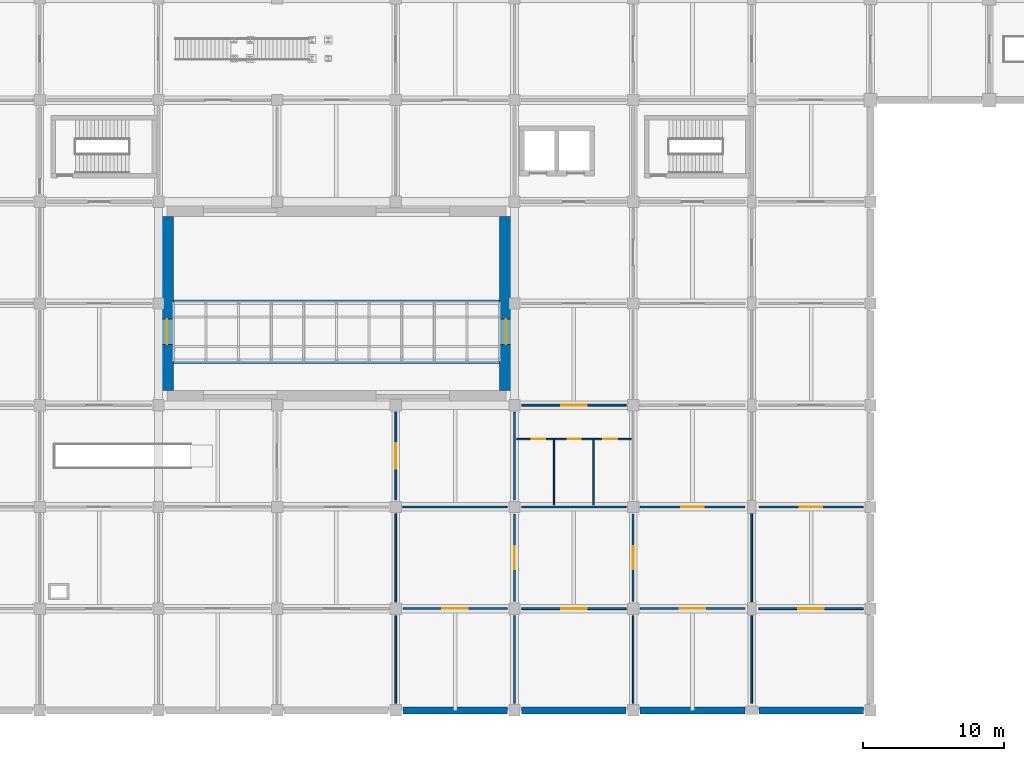
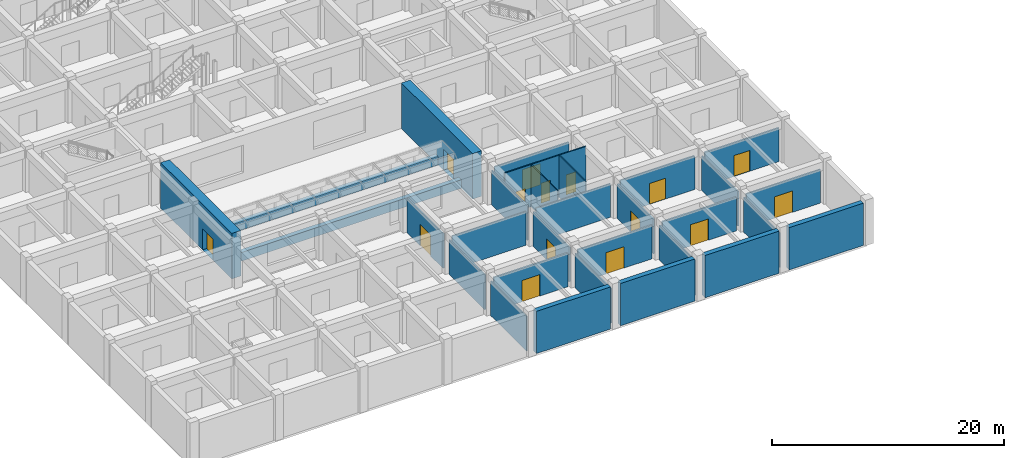
# One storey, part 17 of 32: 30 walls, 15 doors, 15 openings.
"""IFC4 building model written with IfcOpenShell, lengths in metres."""

from ifc_helpers import new_model, si_unit, derived_unit, direction, frame, frame_2d, origin, place, context, subcontext, project, spatial, rectangle, extrude, material, layer, layer_set, type_object, element, fill, save


model = new_model("IFC4")

# Units and contexts
model_context = context("Model", 3, precision=1e-05, world=origin(), true_north=direction((0.0, 1.0)))
body_context = subcontext(model_context, "Body", "Model", "MODEL_VIEW")
ifc_project = project(units=[si_unit("LENGTHUNIT", "METRE"), si_unit("AREAUNIT", "SQUARE_METRE"), si_unit("VOLUMEUNIT", "CUBIC_METRE"), si_unit("PLANEANGLEUNIT", "RADIAN"), si_unit("MASSUNIT", "GRAM", prefix="KILO"), derived_unit("THERMALTRANSMITTANCEUNIT", [(si_unit("MASSUNIT", "GRAM", prefix="KILO"), 1), (si_unit("TIMEUNIT", "SECOND"), -3), (si_unit("THERMODYNAMICTEMPERATUREUNIT", "KELVIN"), -1)])], contexts=[model_context])

# Site, building, storey
site_placement = place(None, origin())
site = spatial("IfcSite", under=ifc_project, at=site_placement, CompositionType="ELEMENT")
building_placement = place(site_placement, origin())
building = spatial("IfcBuilding", under=site, at=building_placement, Name="Veldstrom Oceanarium and Marine Research Institute", CompositionType="ELEMENT")
storey_placement = place(building_placement, frame((0.0, 0.0, -4.800048828125)))
storey = spatial("IfcBuildingStorey", under=building, at=storey_placement, Name="B01", CompositionType="ELEMENT", Elevation=-4.800048828125)

# Wall, opening, door
ifc_material_1 = material(Name="Drywall Corridor Partition", Category="gypsum")
ifc_layer_1 = layer(ifc_material_1, 0.155029296875)
ifc_layer_set_1 = layer_set([ifc_layer_1], Name="ARC-WAL-PT4")
wall_type_1 = type_object("IfcWallType", Name="ARC-WAL-PT4", PredefinedType="PARTITIONING", material=ifc_layer_set_1)
wall_1_placement = place(storey_placement, frame((34.10009765625, 7.199951171875, 0.0), z_axis=(0.0, 0.0, 1.0), x_axis=(1.0, 0.0, 0.0)))
wall_1 = element("IfcWall", 1, at=wall_1_placement, inside=storey, type_object=wall_type_1, Name="Interior Partition PT4 B01-0360", PredefinedType="PARTITIONING", context=body_context, shape_type="SweptSolid", body=[
    extrude(rectangle(XDim=7.39990234375, YDim=0.155029296875, at=frame_2d((3.699951171875, 0.0))), origin(), (0.0, 0.0, 1.0), 3.545166015625),
])
opening_1_placement = place(wall_1_placement, frame((2.800048828125, 0.0, 0.0)))
opening_1 = element("IfcOpeningElement", 2, at=opening_1_placement, cuts=wall_1, Name="Opening D-B01-210", PredefinedType="OPENING", context=body_context, shape_type="SweptSolid", body=[
    extrude(rectangle(XDim=1.800048828125, YDim=2.25, at=frame_2d((0.89990234375, 1.125))), frame((0.0, 0.08740234375, 0.0), z_axis=(0.0, -1.0, 0.0), x_axis=(1.0, 0.0, 0.0)), (0.0, 0.0, 1.0), 0.175048828125),
])
ifc_material_2 = material(Name="Acoustic Timber Gallery Door", Category="wood")
door_type_1 = type_object("IfcDoorType", Name="ARC-DOR-ID01", OperationType="DOUBLE_DOOR_SINGLE_SWING", PredefinedType="DOOR", material=ifc_material_2)
door_1_placement = place(opening_1_placement, frame((1.800048828125, 0.0, 0.0), z_axis=(0.0, 0.0, 1.0), x_axis=(-1.0, 0.0, 0.0)))
door_1 = element("IfcDoor", 3, at=door_1_placement, inside=storey, type_object=door_type_1, Name="Interior Door D-B01-210", OperationType="DOUBLE_DOOR_SINGLE_SWING", OverallHeight=2.25, OverallWidth=1.800048828125, PredefinedType="DOOR", context=body_context, shape_type="SweptSolid", body=[
    extrude(rectangle(XDim=1.800048828125, YDim=2.25, at=frame_2d((0.89990234375, 1.125))), frame((0.0, 0.02490234375, 0.0), z_axis=(0.0, -1.0, 0.0), x_axis=(1.0, 0.0, 0.0)), (0.0, 0.0, 1.0), 0.050048828125),
])
fill(opening_1, door_1)

wall_2_placement = place(storey_placement, frame((50.39990234375, 7.699951171875, 0.0), z_axis=(0.0, 0.0, 1.0), x_axis=(0.0, 1.0, 0.0)))
wall_2 = element("IfcWall", 4, at=wall_2_placement, inside=storey, type_object=wall_type_1, Name="Interior Partition PT4 B01-0375", PredefinedType="PARTITIONING", context=body_context, shape_type="SweptSolid", body=[
    extrude(rectangle(XDim=6.199951171875, YDim=0.155029296875, at=frame_2d((3.10009765625, 0.0))), origin(), (0.0, 0.0, 1.0), 3.64501953125),
])
opening_2_placement = place(wall_2_placement, frame((2.300048828125, 0.0, 0.0)))
opening_2 = element("IfcOpeningElement", 5, at=opening_2_placement, cuts=wall_2, Name="Opening D-B01-217", PredefinedType="OPENING", context=body_context, shape_type="SweptSolid", body=[
    extrude(rectangle(XDim=1.60009765625, YDim=2.199951171875, at=frame_2d((0.800048828125, 1.10009765625))), frame((0.0, 0.08740234375, 0.0), z_axis=(0.0, -1.0, 0.0), x_axis=(1.0, 0.0, 0.0)), (0.0, 0.0, 1.0), 0.175048828125),
])
ifc_material_3 = material(Name="Acoustic Timber Corridor Door", Category="wood")
door_type_2 = type_object("IfcDoorType", Name="ARC-DOR-ID02", OperationType="DOUBLE_DOOR_SINGLE_SWING", PredefinedType="DOOR", material=ifc_material_3)
door_2_placement = place(opening_2_placement, origin())
door_2 = element("IfcDoor", 6, at=door_2_placement, inside=storey, type_object=door_type_2, Name="Interior Door D-B01-217", OperationType="DOUBLE_DOOR_SINGLE_SWING", OverallHeight=2.199951171875, OverallWidth=1.60009765625, PredefinedType="DOOR", context=body_context, shape_type="SweptSolid", body=[
    extrude(rectangle(XDim=1.60009765625, YDim=2.199951171875, at=frame_2d((0.800048828125, 1.10009765625))), frame((0.0, 0.02490234375, 0.0), z_axis=(0.0, -1.0, 0.0), x_axis=(1.0, 0.0, 0.0)), (0.0, 0.0, 1.0), 0.050048828125),
])
fill(opening_2, door_2)

wall_3_placement = place(storey_placement, frame((50.89990234375, 7.199951171875, 0.0), z_axis=(0.0, 0.0, 1.0), x_axis=(1.0, 0.0, 0.0)))
wall_3 = element("IfcWall", 7, at=wall_3_placement, inside=storey, type_object=wall_type_1, Name="Interior Partition PT4 B01-0393", PredefinedType="PARTITIONING", context=body_context, shape_type="SweptSolid", body=[
    extrude(rectangle(XDim=7.400146484375, YDim=0.155029296875, at=frame_2d((3.7001953125, 0.0))), origin(), (0.0, 0.0, 1.0), 3.545166015625),
])
opening_3_placement = place(wall_3_placement, frame((2.800048828125, 0.0, 0.0)))
opening_3 = element("IfcOpeningElement", 8, at=opening_3_placement, cuts=wall_3, Name="Opening D-B01-226", PredefinedType="OPENING", context=body_context, shape_type="SweptSolid", body=[
    extrude(rectangle(XDim=1.800048828125, YDim=2.25, at=frame_2d((0.89990234375, 1.125))), frame((0.0, 0.08740234375, 0.0), z_axis=(0.0, -1.0, 0.0), x_axis=(1.0, 0.0, 0.0)), (0.0, 0.0, 1.0), 0.175048828125),
])
door_3_placement = place(opening_3_placement, frame((1.800048828125, 0.0, 0.0), z_axis=(0.0, 0.0, 1.0), x_axis=(-1.0, 0.0, 0.0)))
door_3 = element("IfcDoor", 9, at=door_3_placement, inside=storey, type_object=door_type_1, Name="Interior Door D-B01-226", OperationType="DOUBLE_DOOR_SINGLE_SWING", OverallHeight=2.25, OverallWidth=1.800048828125, PredefinedType="DOOR", context=body_context, shape_type="SweptSolid", body=[
    extrude(rectangle(XDim=1.800048828125, YDim=2.25, at=frame_2d((0.89990234375, 1.125))), frame((0.0, 0.02490234375, 0.0), z_axis=(0.0, -1.0, 0.0), x_axis=(1.0, 0.0, 0.0)), (0.0, 0.0, 1.0), 0.050048828125),
])
fill(opening_3, door_3)

wall_4_placement = place(storey_placement, frame((59.300048828125, 14.39990234375, 0.0), z_axis=(0.0, 0.0, 1.0), x_axis=(1.0, 0.0, 0.0)))
wall_4 = element("IfcWall", 10, at=wall_4_placement, inside=storey, type_object=wall_type_1, Name="Interior Partition PT4 B01-0412", PredefinedType="PARTITIONING", context=body_context, shape_type="SweptSolid", body=[
    extrude(rectangle(XDim=7.39990234375, YDim=0.155029296875, at=frame_2d((3.699951171875, 0.0))), origin(), (0.0, 0.0, 1.0), 3.545166015625),
])
opening_4_placement = place(wall_4_placement, frame((2.89990234375, 0.0, 0.0)))
opening_4 = element("IfcOpeningElement", 11, at=opening_4_placement, cuts=wall_4, Name="Opening D-B01-237", PredefinedType="OPENING", context=body_context, shape_type="SweptSolid", body=[
    extrude(rectangle(XDim=1.60009765625, YDim=2.199951171875, at=frame_2d((0.800048828125, 1.10009765625))), frame((0.0, 0.08740234375, 0.0), z_axis=(0.0, -1.0, 0.0), x_axis=(1.0, 0.0, 0.0)), (0.0, 0.0, 1.0), 0.175048828125),
])
door_4_placement = place(opening_4_placement, frame((1.60009765625, 0.0, 0.0), z_axis=(0.0, 0.0, 1.0), x_axis=(-1.0, 0.0, 0.0)))
door_4 = element("IfcDoor", 12, at=door_4_placement, inside=storey, type_object=door_type_2, Name="Interior Door D-B01-237", OperationType="DOUBLE_DOOR_SINGLE_SWING", OverallHeight=2.199951171875, OverallWidth=1.60009765625, PredefinedType="DOOR", context=body_context, shape_type="SweptSolid", body=[
    extrude(rectangle(XDim=1.60009765625, YDim=2.199951171875, at=frame_2d((0.800048828125, 1.10009765625))), frame((0.0, 0.02490234375, 0.0), z_axis=(0.0, -1.0, 0.0), x_axis=(1.0, 0.0, 0.0)), (0.0, 0.0, 1.0), 0.050048828125),
])
fill(opening_4, door_4)

ifc_material_4 = material(Name="Moisture-Resistant Wet-Area Partition", Category="masonry")
ifc_layer_2 = layer(ifc_material_4, 0.139892578125)
ifc_layer_set_2 = layer_set([ifc_layer_2], Name="ARC-WAL-PT5")
wall_type_2 = type_object("IfcWallType", Name="ARC-WAL-PT5", PredefinedType="PARTITIONING", material=ifc_layer_set_2)
wall_5_placement = place(storey_placement, frame((33.60009765625, 14.89990234375, 0.0), z_axis=(0.0, 0.0, 1.0), x_axis=(0.0, 1.0, 0.0)))
wall_5 = element("IfcWall", 13, at=wall_5_placement, inside=storey, type_object=wall_type_2, Name="Interior Partition PT5 B01-0349", PredefinedType="PARTITIONING", context=body_context, shape_type="SweptSolid", body=[
    extrude(rectangle(XDim=6.2001953125, YDim=0.139892578125, at=frame_2d((3.10009765625, 0.0))), origin(), (0.0, 0.0, 1.0), 3.64501953125),
])
opening_5_placement = place(wall_5_placement, frame((2.199951171875, 0.0, 0.0)))
opening_5 = element("IfcOpeningElement", 14, at=opening_5_placement, cuts=wall_5, Name="Opening D-B01-204", PredefinedType="OPENING", context=body_context, shape_type="SweptSolid", body=[
    extrude(rectangle(XDim=1.800048828125, YDim=2.25, at=frame_2d((0.89990234375, 1.125))), frame((0.0, 0.079833984375, 0.0), z_axis=(0.0, -1.0, 0.0), x_axis=(1.0, 0.0, 0.0)), (0.0, 0.0, 1.0), 0.159912109375),
])
door_5_placement = place(opening_5_placement, frame((1.800048828125, 0.0, 0.0), z_axis=(0.0, 0.0, 1.0), x_axis=(-1.0, 0.0, 0.0)))
door_5 = element("IfcDoor", 15, at=door_5_placement, inside=storey, type_object=door_type_1, Name="Interior Door D-B01-204", OperationType="DOUBLE_DOOR_SINGLE_SWING", OverallHeight=2.25, OverallWidth=1.800048828125, PredefinedType="DOOR", context=body_context, shape_type="SweptSolid", body=[
    extrude(rectangle(XDim=1.800048828125, YDim=2.25, at=frame_2d((0.89990234375, 1.125))), frame((0.0, 0.02490234375, 0.0), z_axis=(0.0, -1.0, 0.0), x_axis=(1.0, 0.0, 0.0)), (0.0, 0.0, 1.0), 0.050048828125),
])
fill(opening_5, door_5)

wall_6_placement = place(storey_placement, frame((42.0, 7.699951171875, 0.0), z_axis=(0.0, 0.0, 1.0), x_axis=(0.0, 1.0, 0.0)))
wall_6 = element("IfcWall", 16, at=wall_6_placement, inside=storey, type_object=wall_type_2, Name="Interior Partition PT5 B01-0361", PredefinedType="PARTITIONING", context=body_context, shape_type="SweptSolid", body=[
    extrude(rectangle(XDim=6.199951171875, YDim=0.139892578125, at=frame_2d((3.10009765625, 0.0))), origin(), (0.0, 0.0, 1.0), 3.64501953125),
])
opening_6_placement = place(wall_6_placement, frame((2.300048828125, 0.0, 0.0)))
opening_6 = element("IfcOpeningElement", 17, at=opening_6_placement, cuts=wall_6, Name="Opening D-B01-211", PredefinedType="OPENING", context=body_context, shape_type="SweptSolid", body=[
    extrude(rectangle(XDim=1.60009765625, YDim=2.199951171875, at=frame_2d((0.800048828125, 1.10009765625))), frame((0.0, 0.079833984375, 0.0), z_axis=(0.0, -1.0, 0.0), x_axis=(1.0, 0.0, 0.0)), (0.0, 0.0, 1.0), 0.159912109375),
])
door_6_placement = place(opening_6_placement, frame((1.60009765625, 0.0, 0.0), z_axis=(0.0, 0.0, 1.0), x_axis=(-1.0, 0.0, 0.0)))
door_6 = element("IfcDoor", 18, at=door_6_placement, inside=storey, type_object=door_type_2, Name="Interior Door D-B01-211", OperationType="DOUBLE_DOOR_SINGLE_SWING", OverallHeight=2.199951171875, OverallWidth=1.60009765625, PredefinedType="DOOR", context=body_context, shape_type="SweptSolid", body=[
    extrude(rectangle(XDim=1.60009765625, YDim=2.199951171875, at=frame_2d((0.800048828125, 1.10009765625))), frame((0.0, 0.02490234375, 0.0), z_axis=(0.0, -1.0, 0.0), x_axis=(1.0, 0.0, 0.0)), (0.0, 0.0, 1.0), 0.050048828125),
])
fill(opening_6, door_6)

wall_7_placement = place(storey_placement, frame((42.5, 7.199951171875, 0.0), z_axis=(0.0, 0.0, 1.0), x_axis=(1.0, 0.0, 0.0)))
wall_7 = element("IfcWall", 19, at=wall_7_placement, inside=storey, type_object=wall_type_2, Name="Interior Partition PT5 B01-0374", PredefinedType="PARTITIONING", context=body_context, shape_type="SweptSolid", body=[
    extrude(rectangle(XDim=7.39990234375, YDim=0.139892578125, at=frame_2d((3.699951171875, 0.0))), origin(), (0.0, 0.0, 1.0), 3.545166015625),
])
opening_7_placement = place(wall_7_placement, frame((2.800048828125, 0.0, 0.0)))
opening_7 = element("IfcOpeningElement", 20, at=opening_7_placement, cuts=wall_7, Name="Opening D-B01-216", PredefinedType="OPENING", context=body_context, shape_type="SweptSolid", body=[
    extrude(rectangle(XDim=1.800048828125, YDim=2.25, at=frame_2d((0.89990234375, 1.125))), frame((0.0, 0.079833984375, 0.0), z_axis=(0.0, -1.0, 0.0), x_axis=(1.0, 0.0, 0.0)), (0.0, 0.0, 1.0), 0.159912109375),
])
door_7_placement = place(opening_7_placement, origin())
door_7 = element("IfcDoor", 21, at=door_7_placement, inside=storey, type_object=door_type_1, Name="Interior Door D-B01-216", OperationType="DOUBLE_DOOR_SINGLE_SWING", OverallHeight=2.25, OverallWidth=1.800048828125, PredefinedType="DOOR", context=body_context, shape_type="SweptSolid", body=[
    extrude(rectangle(XDim=1.800048828125, YDim=2.25, at=frame_2d((0.89990234375, 1.125))), frame((0.0, 0.02490234375, 0.0), z_axis=(0.0, -1.0, 0.0), x_axis=(1.0, 0.0, 0.0)), (0.0, 0.0, 1.0), 0.050048828125),
])
fill(opening_7, door_7)

wall_8_placement = place(storey_placement, frame((42.5, 21.60009765625, 0.0), z_axis=(0.0, 0.0, 1.0), x_axis=(1.0, 0.0, 0.0)))
wall_8 = element("IfcWall", 22, at=wall_8_placement, inside=storey, type_object=wall_type_2, Name="Interior Partition PT5 B01-0378", PredefinedType="PARTITIONING", context=body_context, shape_type="SweptSolid", body=[
    extrude(rectangle(XDim=7.39990234375, YDim=0.139892578125, at=frame_2d((3.699951171875, 0.0))), origin(), (0.0, 0.0, 1.0), 3.545166015625),
])
opening_8_placement = place(wall_8_placement, frame((2.800048828125, 0.0, 0.0)))
opening_8 = element("IfcOpeningElement", 23, at=opening_8_placement, cuts=wall_8, Name="Opening D-B01-218", PredefinedType="OPENING", context=body_context, shape_type="SweptSolid", body=[
    extrude(rectangle(XDim=1.800048828125, YDim=2.25, at=frame_2d((0.89990234375, 1.125))), frame((0.0, 0.079833984375, 0.0), z_axis=(0.0, -1.0, 0.0), x_axis=(1.0, 0.0, 0.0)), (0.0, 0.0, 1.0), 0.159912109375),
])
door_8_placement = place(opening_8_placement, frame((1.800048828125, 0.0, 0.0), z_axis=(0.0, 0.0, 1.0), x_axis=(-1.0, 0.0, 0.0)))
door_8 = element("IfcDoor", 24, at=door_8_placement, inside=storey, type_object=door_type_1, Name="Interior Door D-B01-218", OperationType="DOUBLE_DOOR_SINGLE_SWING", OverallHeight=2.25, OverallWidth=1.800048828125, PredefinedType="DOOR", context=body_context, shape_type="SweptSolid", body=[
    extrude(rectangle(XDim=1.800048828125, YDim=2.25, at=frame_2d((0.89990234375, 1.125))), frame((0.0, 0.02490234375, 0.0), z_axis=(0.0, -1.0, 0.0), x_axis=(1.0, 0.0, 0.0)), (0.0, 0.0, 1.0), 0.050048828125),
])
fill(opening_8, door_8)

wall_9_placement = place(storey_placement, frame((50.89990234375, 14.39990234375, 0.0), z_axis=(0.0, 0.0, 1.0), x_axis=(1.0, 0.0, 0.0)))
wall_9 = element("IfcWall", 25, at=wall_9_placement, inside=storey, type_object=wall_type_2, Name="Interior Partition PT5 B01-0395", PredefinedType="PARTITIONING", context=body_context, shape_type="SweptSolid", body=[
    extrude(rectangle(XDim=7.400146484375, YDim=0.139892578125, at=frame_2d((3.7001953125, 0.0))), origin(), (0.0, 0.0, 1.0), 3.545166015625),
])
opening_9_placement = place(wall_9_placement, frame((2.89990234375, 0.0, 0.0)))
opening_9 = element("IfcOpeningElement", 26, at=opening_9_placement, cuts=wall_9, Name="Opening D-B01-227", PredefinedType="OPENING", context=body_context, shape_type="SweptSolid", body=[
    extrude(rectangle(XDim=1.60009765625, YDim=2.199951171875, at=frame_2d((0.800048828125, 1.10009765625))), frame((0.0, 0.079833984375, 0.0), z_axis=(0.0, -1.0, 0.0), x_axis=(1.0, 0.0, 0.0)), (0.0, 0.0, 1.0), 0.159912109375),
])
door_9_placement = place(opening_9_placement, origin())
door_9 = element("IfcDoor", 27, at=door_9_placement, inside=storey, type_object=door_type_2, Name="Interior Door D-B01-227", OperationType="DOUBLE_DOOR_SINGLE_SWING", OverallHeight=2.199951171875, OverallWidth=1.60009765625, PredefinedType="DOOR", context=body_context, shape_type="SweptSolid", body=[
    extrude(rectangle(XDim=1.60009765625, YDim=2.199951171875, at=frame_2d((0.800048828125, 1.10009765625))), frame((0.0, 0.02490234375, 0.0), z_axis=(0.0, -1.0, 0.0), x_axis=(1.0, 0.0, 0.0)), (0.0, 0.0, 1.0), 0.050048828125),
])
fill(opening_9, door_9)

wall_10_placement = place(storey_placement, frame((59.300048828125, 7.199951171875, 0.0), z_axis=(0.0, 0.0, 1.0), x_axis=(1.0, 0.0, 0.0)))
wall_10 = element("IfcWall", 28, at=wall_10_placement, inside=storey, type_object=wall_type_2, Name="Interior Partition PT5 B01-0411", PredefinedType="PARTITIONING", context=body_context, shape_type="SweptSolid", body=[
    extrude(rectangle(XDim=7.39990234375, YDim=0.139892578125, at=frame_2d((3.699951171875, 0.0))), origin(), (0.0, 0.0, 1.0), 3.545166015625),
])
opening_10_placement = place(wall_10_placement, frame((2.800048828125, 0.0, 0.0)))
opening_10 = element("IfcOpeningElement", 29, at=opening_10_placement, cuts=wall_10, Name="Opening D-B01-236", PredefinedType="OPENING", context=body_context, shape_type="SweptSolid", body=[
    extrude(rectangle(XDim=1.800048828125, YDim=2.25, at=frame_2d((0.89990234375, 1.125))), frame((0.0, 0.079833984375, 0.0), z_axis=(0.0, -1.0, 0.0), x_axis=(1.0, 0.0, 0.0)), (0.0, 0.0, 1.0), 0.159912109375),
])
door_10_placement = place(opening_10_placement, origin())
door_10 = element("IfcDoor", 30, at=door_10_placement, inside=storey, type_object=door_type_1, Name="Interior Door D-B01-236", OperationType="DOUBLE_DOOR_SINGLE_SWING", OverallHeight=2.25, OverallWidth=1.800048828125, PredefinedType="DOOR", context=body_context, shape_type="SweptSolid", body=[
    extrude(rectangle(XDim=1.800048828125, YDim=2.25, at=frame_2d((0.89990234375, 1.125))), frame((0.0, 0.02490234375, 0.0), z_axis=(0.0, -1.0, 0.0), x_axis=(1.0, 0.0, 0.0)), (0.0, 0.0, 1.0), 0.050048828125),
])
fill(opening_10, door_10)

# Wall, openings, doors
ifc_material_5 = material(Name="Lightweight Studio Partition", Category="gypsum")
ifc_layer_3 = layer(ifc_material_5, 0.1201171875)
ifc_layer_set_3 = layer_set([ifc_layer_3], Name="ARC-WAL-PT6")
wall_type_3 = type_object("IfcWallType", Name="ARC-WAL-PT6", PredefinedType="PARTITIONING", material=ifc_layer_set_3)
wall_11_placement = place(storey_placement, frame((42.14990234375, 19.199951171875, 0.0), z_axis=(0.0, 0.0, 1.0), x_axis=(1.0, 0.0, 0.0)))
wall_11 = element("IfcWall", 31, at=wall_11_placement, inside=storey, type_object=wall_type_3, Name="Sanitary Vestibule Partition B01-5", PredefinedType="PARTITIONING", context=body_context, shape_type="SweptSolid", body=[
    extrude(rectangle(XDim=8.10009765625, YDim=0.1201171875, at=frame_2d((4.050048828125, 0.0))), origin(), (0.0, 0.0, 1.0), 4.449951171875),
])
opening_11_placement = place(wall_11_placement, frame((1.080078125, 0.0, 0.0)))
opening_11 = element("IfcOpeningElement", 32, at=opening_11_placement, cuts=wall_11, Name="Opening D-B01-WC172", PredefinedType="OPENING", context=body_context, shape_type="SweptSolid", body=[
    extrude(rectangle(XDim=0.949951171875, YDim=2.10009765625, at=frame_2d((0.47509765625, 1.050048828125))), frame((0.0, 0.070068359375, 0.0), z_axis=(0.0, -1.0, 0.0), x_axis=(1.0, 0.0, 0.0)), (0.0, 0.0, 1.0), 0.14013671875),
])
opening_12_placement = place(wall_11_placement, frame((3.6298828125, 0.0, 0.0)))
opening_12 = element("IfcOpeningElement", 33, at=opening_12_placement, cuts=wall_11, Name="Opening D-B01-WC173", PredefinedType="OPENING", context=body_context, shape_type="SweptSolid", body=[
    extrude(rectangle(XDim=0.89990234375, YDim=2.10009765625, at=frame_2d((0.449951171875, 1.050048828125))), frame((0.0, 0.070068359375, 0.0), z_axis=(0.0, -1.0, 0.0), x_axis=(1.0, 0.0, 0.0)), (0.0, 0.0, 1.0), 0.14013671875),
])
opening_13_placement = place(wall_11_placement, frame((6.1298828125, 0.0, 0.0)))
opening_13 = element("IfcOpeningElement", 34, at=opening_13_placement, cuts=wall_11, Name="Opening D-B01-WC174", PredefinedType="OPENING", context=body_context, shape_type="SweptSolid", body=[
    extrude(rectangle(XDim=1.0, YDim=2.10009765625, at=frame_2d((0.5, 1.050048828125))), frame((0.0, 0.070068359375, 0.0), z_axis=(0.0, -1.0, 0.0), x_axis=(1.0, 0.0, 0.0)), (0.0, 0.0, 1.0), 0.14013671875),
])
ifc_material_6 = material(Name="Accessible Sanitary Door", Category="timber")
door_type_3 = type_object("IfcDoorType", Name="ARC-DOR-ID08", OperationType="SINGLE_SWING_RIGHT", PredefinedType="DOOR", material=ifc_material_6)
door_11_placement = place(opening_13_placement, frame((1.0, 0.0, 0.0), z_axis=(0.0, 0.0, 1.0), x_axis=(-1.0, 0.0, 0.0)))
door_11 = element("IfcDoor", 35, at=door_11_placement, inside=storey, type_object=door_type_3, Name="Accessible WC Door D-B01-WC174", OperationType="SINGLE_SWING_RIGHT", OverallHeight=2.10009765625, OverallWidth=1.0, PredefinedType="DOOR", context=body_context, shape_type="SweptSolid", body=[
    extrude(rectangle(XDim=1.0, YDim=2.10009765625, at=frame_2d((0.5, 1.050048828125))), frame((0.0, 0.02490234375, 0.0), z_axis=(0.0, -1.0, 0.0), x_axis=(1.0, 0.0, 0.0)), (0.0, 0.0, 1.0), 0.050048828125),
])
fill(opening_13, door_11)
ifc_material_7 = material(Name="Staff Sanitary Door", Category="timber")
door_type_4 = type_object("IfcDoorType", Name="ARC-DOR-ID09", OperationType="SINGLE_SWING_LEFT", PredefinedType="DOOR", material=ifc_material_7)
door_12_placement = place(opening_11_placement, frame((0.949951171875, 0.0, 0.0), z_axis=(0.0, 0.0, 1.0), x_axis=(-1.0, 0.0, 0.0)))
door_12 = element("IfcDoor", 36, at=door_12_placement, inside=storey, type_object=door_type_4, Name="Male WC Door D-B01-WC172", OperationType="SINGLE_SWING_RIGHT", OverallHeight=2.10009765625, OverallWidth=0.949951171875, PredefinedType="DOOR", context=body_context, shape_type="SweptSolid", body=[
    extrude(rectangle(XDim=0.949951171875, YDim=2.10009765625, at=frame_2d((0.47509765625, 1.050048828125))), frame((0.0, 0.02490234375, 0.0), z_axis=(0.0, -1.0, 0.0), x_axis=(1.0, 0.0, 0.0)), (0.0, 0.0, 1.0), 0.050048828125),
])
fill(opening_11, door_12)
ifc_material_8 = material(Name="Internal Sanitary Door", Category="timber")
door_type_5 = type_object("IfcDoorType", Name="ARC-DOR-ID10", OperationType="SINGLE_SWING_RIGHT", PredefinedType="DOOR", material=ifc_material_8)
door_13_placement = place(opening_12_placement, frame((0.89990234375, 0.0, 0.0), z_axis=(0.0, 0.0, 1.0), x_axis=(-1.0, 0.0, 0.0)))
door_13 = element("IfcDoor", 37, at=door_13_placement, inside=storey, type_object=door_type_5, Name="Female WC Door D-B01-WC173", OperationType="SINGLE_SWING_LEFT", OverallHeight=2.10009765625, OverallWidth=0.89990234375, PredefinedType="DOOR", context=body_context, shape_type="SweptSolid", body=[
    extrude(rectangle(XDim=0.89990234375, YDim=2.10009765625, at=frame_2d((0.449951171875, 1.050048828125))), frame((0.0, 0.02490234375, 0.0), z_axis=(0.0, -1.0, 0.0), x_axis=(1.0, 0.0, 0.0)), (0.0, 0.0, 1.0), 0.050048828125),
])
fill(opening_12, door_13)

# Walls
for number, where, z_axis, x_axis, name in (
    (38, (33.60009765625, 0.5, 0.0), (0.0, 0.0, 1.0), (0.0, 1.0, 0.0), "Interior Partition PT6 B01-0345"),
    (39, (33.60009765625, 7.699951171875, 0.0), (0.0, 0.0, 1.0), (0.0, 1.0, 0.0), "Interior Partition PT6 B01-0347"),
    (40, (42.0, 0.5, 0.0), (0.0, 0.0, 1.0), (0.0, 1.0, 0.0), "Interior Partition PT6 B01-0359"),
):
    element("IfcWall", number, at=place(storey_placement, frame(where, z_axis=z_axis, x_axis=x_axis)), inside=storey, type_object=wall_type_3, Name=name, PredefinedType="PARTITIONING", context=body_context, shape_type="SweptSolid", body=[
        extrude(rectangle(XDim=6.199951171875, YDim=0.1201171875, at=frame_2d((3.10009765625, 0.0))), origin(), (0.0, 0.0, 1.0), 3.64501953125),
    ])
wall_12_placement = place(storey_placement, frame((34.10009765625, 14.39990234375, 0.0), z_axis=(0.0, 0.0, 1.0), x_axis=(1.0, 0.0, 0.0)))
element("IfcWall", 41, at=wall_12_placement, inside=storey, type_object=wall_type_3, Name="Interior Partition PT6 B01-0362", PredefinedType="PARTITIONING", context=body_context, shape_type="SweptSolid", body=[
    extrude(rectangle(XDim=7.39990234375, YDim=0.1201171875, at=frame_2d((3.699951171875, 0.0))), origin(), (0.0, 0.0, 1.0), 3.545166015625),
])
wall_13_placement = place(storey_placement, frame((42.0, 14.89990234375, 0.0), z_axis=(0.0, 0.0, 1.0), x_axis=(0.0, 1.0, 0.0)))
element("IfcWall", 42, at=wall_13_placement, inside=storey, type_object=wall_type_3, Name="Interior Partition PT6 B01-0363", PredefinedType="PARTITIONING", context=body_context, shape_type="SweptSolid", body=[
    extrude(rectangle(XDim=6.2001953125, YDim=0.1201171875, at=frame_2d((3.10009765625, 0.0))), origin(), (0.0, 0.0, 1.0), 3.64501953125),
])
wall_14_placement = place(storey_placement, frame((50.39990234375, 0.5, 0.0), z_axis=(0.0, 0.0, 1.0), x_axis=(0.0, 1.0, 0.0)))
element("IfcWall", 43, at=wall_14_placement, inside=storey, type_object=wall_type_3, Name="Interior Partition PT6 B01-0373", PredefinedType="PARTITIONING", context=body_context, shape_type="SweptSolid", body=[
    extrude(rectangle(XDim=6.199951171875, YDim=0.1201171875, at=frame_2d((3.10009765625, 0.0))), origin(), (0.0, 0.0, 1.0), 3.64501953125),
])
wall_15_placement = place(storey_placement, frame((42.5, 14.39990234375, 0.0), z_axis=(0.0, 0.0, 1.0), x_axis=(1.0, 0.0, 0.0)))
element("IfcWall", 44, at=wall_15_placement, inside=storey, type_object=wall_type_3, Name="Interior Partition PT6 B01-0376", PredefinedType="PARTITIONING", context=body_context, shape_type="SweptSolid", body=[
    extrude(rectangle(XDim=7.39990234375, YDim=0.1201171875, at=frame_2d((3.699951171875, 0.0))), origin(), (0.0, 0.0, 1.0), 3.545166015625),
])
for number, where, z_axis, x_axis, name in (
    (45, (58.800048828125, 0.5, 0.0), (0.0, 0.0, 1.0), (0.0, 1.0, 0.0), "Interior Partition PT6 B01-0392"),
    (46, (58.800048828125, 7.699951171875, 0.0), (0.0, 0.0, 1.0), (0.0, 1.0, 0.0), "Interior Partition PT6 B01-0394"),
):
    element("IfcWall", number, at=place(storey_placement, frame(where, z_axis=z_axis, x_axis=x_axis)), inside=storey, type_object=wall_type_3, Name=name, PredefinedType="PARTITIONING", context=body_context, shape_type="SweptSolid", body=[
        extrude(rectangle(XDim=6.199951171875, YDim=0.1201171875, at=frame_2d((3.10009765625, 0.0))), origin(), (0.0, 0.0, 1.0), 3.64501953125),
    ])
ifc_material_9 = material(Name="Sanitary Cubicle Partition", Category="gypsum")
ifc_layer_4 = layer(ifc_material_9, 0.10009765625)
ifc_layer_set_4 = layer_set([ifc_layer_4], Name="ARC-WAL-PT7")
wall_type_4 = type_object("IfcWallType", Name="ARC-WAL-PT7", PredefinedType="PARTITIONING", material=ifc_layer_set_4)
for number, where, z_axis, x_axis, name in (
    (47, (44.800048828125, 14.550048828125, 0.0), (0.0, 0.0, 1.0), (0.0, 1.0, 0.0), "Sanitary Stall Divider Wall B01-0296"),
    (48, (47.60009765625, 14.550048828125, 0.0), (0.0, 0.0, 1.0), (0.0, 1.0, 0.0), "Sanitary Stall Divider Wall B01-0297"),
):
    element("IfcWall", number, at=place(storey_placement, frame(where, z_axis=z_axis, x_axis=x_axis)), inside=storey, type_object=wall_type_4, Name=name, PredefinedType="PARTITIONING", context=body_context, shape_type="SweptSolid", body=[
        extrude(rectangle(XDim=4.58984375, YDim=0.10009765625, at=frame_2d((2.294921875, 0.0))), origin(), (0.0, 0.0, 1.0), 4.449951171875),
    ])
ifc_material_10 = material(Name="Concrete C40/50", Category="concrete")
ifc_layer_5 = layer(ifc_material_10, 0.47998046875)
ifc_layer_set_5 = layer_set([ifc_layer_5], Name="STR-WAL-WR2")
wall_type_5 = type_object("IfcWallType", Name="STR-WAL-WR2", PredefinedType="USERDEFINED", material=ifc_layer_set_5)
for number, where, z_axis, x_axis, name in (
    (49, (34.10009765625, 0.0, 0.0), (0.0, 0.0, 1.0), (1.0, 0.0, 0.0), "Basement Retaining Wall WR2-B01-019"),
    (50, (42.5, 0.0, 0.0), (0.0, 0.0, 1.0), (1.0, 0.0, 0.0), "Basement Retaining Wall WR2-B01-021"),
):
    element("IfcWall", number, at=place(storey_placement, frame(where, z_axis=z_axis, x_axis=x_axis)), inside=storey, type_object=wall_type_5, Name=name, ObjectType="Retaining wall", PredefinedType="USERDEFINED", context=body_context, shape_type="SweptSolid", body=[
        extrude(rectangle(XDim=7.39990234375, YDim=0.47998046875, at=frame_2d((3.699951171875, 0.0))), origin(), (0.0, 0.0, 1.0), 4.449951171875),
    ])
wall_16_placement = place(storey_placement, frame((50.89990234375, 0.0, 0.0), z_axis=(0.0, 0.0, 1.0), x_axis=(1.0, 0.0, 0.0)))
element("IfcWall", 51, at=wall_16_placement, inside=storey, type_object=wall_type_5, Name="Basement Retaining Wall WR2-B01-023", ObjectType="Retaining wall", PredefinedType="USERDEFINED", context=body_context, shape_type="SweptSolid", body=[
    extrude(rectangle(XDim=7.400146484375, YDim=0.47998046875, at=frame_2d((3.7001953125, 0.0))), origin(), (0.0, 0.0, 1.0), 4.449951171875),
])
wall_17_placement = place(storey_placement, frame((59.300048828125, 0.0, 0.0), z_axis=(0.0, 0.0, 1.0), x_axis=(1.0, 0.0, 0.0)))
element("IfcWall", 52, at=wall_17_placement, inside=storey, type_object=wall_type_5, Name="Basement Retaining Wall WR2-B01-025", ObjectType="Retaining wall", PredefinedType="USERDEFINED", context=body_context, shape_type="SweptSolid", body=[
    extrude(rectangle(XDim=7.39990234375, YDim=0.47998046875, at=frame_2d((3.699951171875, 0.0))), origin(), (0.0, 0.0, 1.0), 4.449951171875),
])

# Wall, opening, door
ifc_material_11 = material(Name="Concrete C40/50", Category="concrete")
ifc_layer_6 = layer(ifc_material_11, 0.89990234375)
ifc_layer_set_6 = layer_set([ifc_layer_6], Name="STR-WAL-WT1")
wall_type_6 = type_object("IfcWallType", Name="STR-WAL-WT1", PredefinedType="SOLIDWALL", material=ifc_layer_set_6)
wall_18_placement = place(storey_placement, frame((17.39990234375, 22.64990234375, 0.0), z_axis=(0.0, 0.0, 1.0), x_axis=(0.0, 1.0, 0.0)))
wall_18 = element("IfcWall", 53, at=wall_18_placement, inside=storey, type_object=wall_type_6, Name="Ocean Tank Waterproof RC Wall B01-W", PredefinedType="SOLIDWALL", context=body_context, shape_type="SweptSolid", body=[
    extrude(rectangle(XDim=12.300048828125, YDim=0.89990234375, at=frame_2d((6.14990234375, 0.0))), origin(), (0.0, 0.0, 1.0), 4.800048828125),
])
opening_14_placement = place(wall_18_placement, frame((3.25, 0.0, 0.0)))
opening_14 = element("IfcOpeningElement", 54, at=opening_14_placement, cuts=wall_18, Name="Opening D-TUN-B01-W", PredefinedType="OPENING", context=body_context, shape_type="SweptSolid", body=[
    extrude(rectangle(XDim=1.800048828125, YDim=2.199951171875, at=frame_2d((0.89990234375, 1.10009765625))), frame((0.0, 0.4599609375, 0.0), z_axis=(0.0, -1.0, 0.0), x_axis=(1.0, 0.0, 0.0)), (0.0, 0.0, 1.0), 0.919921875),
])
ifc_material_12 = material(Name="Glazed Steel Tunnel Airlock Door", Category="steel")
door_type_6 = type_object("IfcDoorType", Name="ARC-DOR-SD3", OperationType="DOUBLE_DOOR_SINGLE_SWING", PredefinedType="DOOR", material=ifc_material_12)
door_14_placement = place(opening_14_placement, origin())
door_14 = element("IfcDoor", 55, at=door_14_placement, inside=storey, type_object=door_type_6, Name="Ocean Tank Viewing Tunnel Portal Door D-TUN-B01-W", OperationType="DOUBLE_DOOR_SINGLE_SWING", OverallHeight=2.199951171875, OverallWidth=1.800048828125, PredefinedType="DOOR", context=body_context, shape_type="SweptSolid", body=[
    extrude(rectangle(XDim=1.800048828125, YDim=2.199951171875, at=frame_2d((0.89990234375, 1.10009765625))), frame((0.0, 0.02490234375, 0.0), z_axis=(0.0, -1.0, 0.0), x_axis=(1.0, 0.0, 0.0)), (0.0, 0.0, 1.0), 0.050048828125),
])
fill(opening_14, door_14)

wall_19_placement = place(storey_placement, frame((41.39990234375, 22.64990234375, 0.0), z_axis=(0.0, 0.0, 1.0), x_axis=(0.0, 1.0, 0.0)))
wall_19 = element("IfcWall", 56, at=wall_19_placement, inside=storey, type_object=wall_type_6, Name="Ocean Tank Waterproof RC Wall B01-E", PredefinedType="SOLIDWALL", context=body_context, shape_type="SweptSolid", body=[
    extrude(rectangle(XDim=12.300048828125, YDim=0.89990234375, at=frame_2d((6.14990234375, 0.0))), origin(), (0.0, 0.0, 1.0), 4.800048828125),
])
opening_15_placement = place(wall_19_placement, frame((3.25, 0.0, 0.0)))
opening_15 = element("IfcOpeningElement", 57, at=opening_15_placement, cuts=wall_19, Name="Opening D-TUN-B01-E", PredefinedType="OPENING", context=body_context, shape_type="SweptSolid", body=[
    extrude(rectangle(XDim=1.800048828125, YDim=2.199951171875, at=frame_2d((0.89990234375, 1.10009765625))), frame((0.0, 0.4599609375, 0.0), z_axis=(0.0, -1.0, 0.0), x_axis=(1.0, 0.0, 0.0)), (0.0, 0.0, 1.0), 0.919921875),
])
door_15_placement = place(opening_15_placement, frame((1.800048828125, 0.0, 0.0), z_axis=(0.0, 0.0, 1.0), x_axis=(-1.0, 0.0, 0.0)))
door_15 = element("IfcDoor", 58, at=door_15_placement, inside=storey, type_object=door_type_6, Name="Ocean Tank Viewing Tunnel Portal Door D-TUN-B01-E", OperationType="DOUBLE_DOOR_SINGLE_SWING", OverallHeight=2.199951171875, OverallWidth=1.800048828125, PredefinedType="DOOR", context=body_context, shape_type="SweptSolid", body=[
    extrude(rectangle(XDim=1.800048828125, YDim=2.199951171875, at=frame_2d((0.89990234375, 1.10009765625))), frame((0.0, 0.02490234375, 0.0), z_axis=(0.0, -1.0, 0.0), x_axis=(1.0, 0.0, 0.0)), (0.0, 0.0, 1.0), 0.050048828125),
])
fill(opening_15, door_15)

# Walls
ifc_material_13 = material(Name="Concrete C40/50", Category="concrete")
ifc_layer_7 = layer(ifc_material_13, 0.449951171875)
ifc_layer_set_7 = layer_set([ifc_layer_7], Name="STR-WAL-WT3")
wall_type_7 = type_object("IfcWallType", Name="STR-WAL-WT3", PredefinedType="SOLIDWALL", material=ifc_layer_set_7)
for number, where, z_axis, x_axis, name in (
    (59, (17.85009765625, 24.77490234375, 0.0), (0.0, 0.0, 1.0), (1.0, 0.0, 0.0), "Walkthrough Tunnel RC Kerb B01-S"),
    (60, (17.85009765625, 28.824951171875, 0.0), (0.0, 0.0, 1.0), (1.0, 0.0, 0.0), "Walkthrough Tunnel RC Kerb B01-N"),
):
    element("IfcWall", number, at=place(storey_placement, frame(where, z_axis=z_axis, x_axis=x_axis)), inside=storey, type_object=wall_type_7, Name=name, PredefinedType="SOLIDWALL", context=body_context, shape_type="SweptSolid", body=[
        extrude(rectangle(XDim=23.099853515625, YDim=0.449951171875, at=frame_2d((11.5498046875, 0.0))), origin(), (0.0, 0.0, 1.0), 0.900146484375),
    ])

save(model, "model.ifc")
